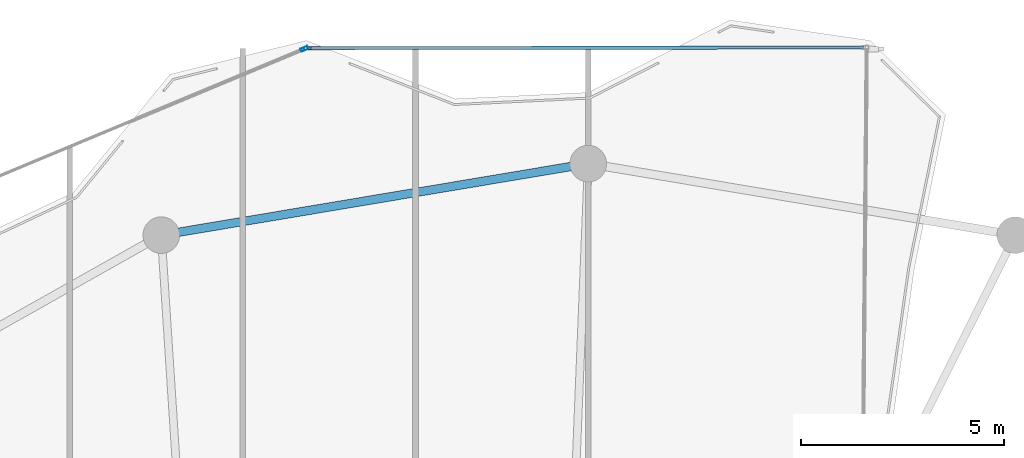
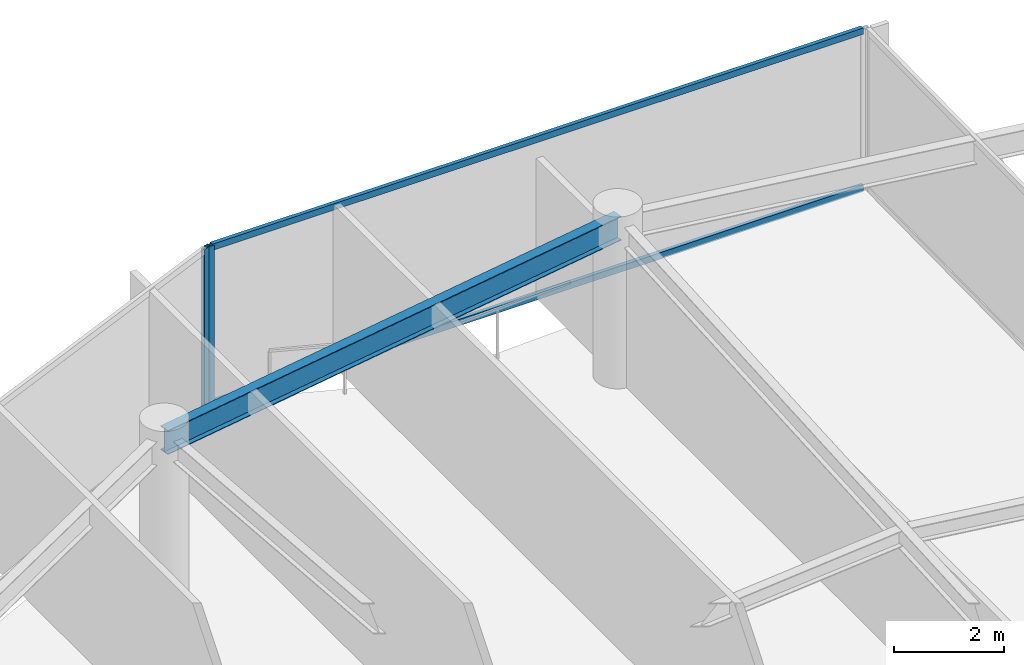
# One storey, part 16 of 23: 4 members, 1 beam, 2 elements without a shape of their own.
"""IFC4 building model written with IfcOpenShell, lengths in metres."""

from ifc_helpers import new_model, si_unit, direction, frame, origin, origin_2d, place, context, subcontext, project, spatial, hollow_rectangle, i_section, extrude, material, layer, layer_set, material_profile, profile_set, type_object, element, aggregate, save


model = new_model("IFC4")

# Units and contexts
model_context = context("Model", 3, precision=1e-05, world=origin(), true_north=direction((0.0, 1.0)))
body_context = subcontext(model_context, "Body", "Model", "MODEL_VIEW")
ifc_project = project(units=[si_unit("LENGTHUNIT", "METRE"), si_unit("AREAUNIT", "SQUARE_METRE"), si_unit("VOLUMEUNIT", "CUBIC_METRE"), si_unit("PLANEANGLEUNIT", "RADIAN"), si_unit("MASSUNIT", "GRAM", prefix="KILO")], contexts=[model_context])

# Site, building, storey
site_placement = place(None, origin())
site = spatial("IfcSite", under=ifc_project, at=site_placement, CompositionType="ELEMENT")
building_placement = place(site_placement, origin())
building = spatial("IfcBuilding", under=site, at=building_placement, Name="Kazevale Care Tower and Concert Hall", CompositionType="ELEMENT")
storey_placement = place(building_placement, frame((0.0, 0.0, 270.0)))
storey = spatial("IfcBuildingStorey", under=building, at=storey_placement, Name="L71", CompositionType="ELEMENT", Elevation=270.0)

# Curtain wall, member
ifc_material_1 = material(Name="Aluminium 6063-T6 and Low-E Glass", Category="aluminium")
ifc_layer = layer(ifc_material_1, 0.179931640625)
ifc_layer_set = layer_set([ifc_layer], Name="Aluminium 6063-T6 and Low-E Glass")
curtain_wall_type = type_object("IfcCurtainWallType", Name="Waist & Upper Residential Curtain Wall CW-4", PredefinedType="NOTDEFINED", material=ifc_layer_set)
curtain_wall_1_placement = place(storey_placement, origin())
curtain_wall_1 = element("IfcCurtainWall", 1, at=curtain_wall_1_placement, inside=storey, type_object=curtain_wall_type, Name="cw:L71:f11", PredefinedType="NOTDEFINED")
ifc_material_2 = material(Name="Aluminium 6063-T6", Category="aluminium")
ifc_material_profile_1 = material_profile(ifc_material_2, hollow_rectangle(XDim=0.080078125, YDim=0.179931640625, WallThickness=0.0048828125, at=origin_2d()), Name="ALU80x180x5")
ifc_profile_set_1 = profile_set([ifc_material_profile_1], Name="Aluminium 6063-T6")
member_type_1 = type_object("IfcMemberType", Name="CW-4 Mullion ALU80x180x5", PredefinedType="MULLION", material=ifc_profile_set_1)
member_1_placement = place(storey_placement, frame((38.01904296875, 63.97265625, 0.0), z_axis=(0.0, 0.0, 1.0), x_axis=(-0.384684013802, 0.923048324588, 0.0)))
member_1 = element("IfcMember", 2, at=member_1_placement, type_object=member_type_1, Name="CW-4 mullion 2", PredefinedType="MULLION", context=body_context, shape_type="SweptSolid", body=[
    extrude(hollow_rectangle(XDim=0.080078125, YDim=0.179931640625, WallThickness=0.0048828125, at=origin_2d()), origin(), (0.0, 0.0, 1.0), 3.56005859375),
])
aggregate(curtain_wall_1, [member_1])

# Curtain wall, members
curtain_wall_2_placement = place(storey_placement, origin())
curtain_wall_2 = element("IfcCurtainWall", 3, at=curtain_wall_2_placement, inside=storey, type_object=curtain_wall_type, Name="cw:L71:f12", PredefinedType="NOTDEFINED")
member_2_placement = place(storey_placement, frame((38.095947265625, 63.988037109375, 0.0), z_axis=(0.0, 0.0, 1.0), x_axis=(-0.001377708789, 0.999999050959, 0.0)))
member_2 = element("IfcMember", 4, at=member_2_placement, type_object=member_type_1, Name="CW-4 mullion 1", PredefinedType="MULLION", context=body_context, shape_type="SweptSolid", body=[
    extrude(hollow_rectangle(XDim=0.080078125, YDim=0.179931640625, WallThickness=0.0048828125, at=origin_2d()), origin(), (0.0, 0.0, 1.0), 3.56005859375),
])
ifc_material_profile_2 = material_profile(ifc_material_2, hollow_rectangle(XDim=0.080078125, YDim=0.139892578125, WallThickness=0.00390625, at=origin_2d()), Name="ALU80x140x4")
ifc_profile_set_2 = profile_set([ifc_material_profile_2], Name="Aluminium 6063-T6")
member_type_2 = type_object("IfcMemberType", Name="CW-4 Transom ALU80x140x4", PredefinedType="USERDEFINED", material=ifc_profile_set_2)
member_3_placement = place(storey_placement, frame((38.135986328125, 63.988037109375, 0.0400390625), z_axis=(0.999999049025, 0.0013791114, 0.0), x_axis=(-0.0013791114, 0.999999049025, 0.0)))
member_3 = element("IfcMember", 5, at=member_3_placement, type_object=member_type_2, Name="CW-4 transom 1.1", ObjectType="TRANSOM", PredefinedType="USERDEFINED", context=body_context, shape_type="SweptSolid", body=[
    extrude(hollow_rectangle(XDim=0.080078125, YDim=0.139892578125, WallThickness=0.00390625, at=origin_2d()), origin(), (0.0, 0.0, 1.0), 13.631103515625),
])
member_4_placement = place(storey_placement, frame((38.135986328125, 63.988037109375, 3.52001953125), z_axis=(0.999999049025, 0.0013791114, 0.0), x_axis=(-0.0013791114, 0.999999049025, 0.0)))
member_4 = element("IfcMember", 6, at=member_4_placement, type_object=member_type_2, Name="CW-4 transom 1.2", ObjectType="TRANSOM", PredefinedType="USERDEFINED", context=body_context, shape_type="SweptSolid", body=[
    extrude(hollow_rectangle(XDim=0.080078125, YDim=0.139892578125, WallThickness=0.00390625, at=origin_2d()), origin(), (0.0, 0.0, 1.0), 13.631103515625),
])
aggregate(curtain_wall_2, [member_2, member_3, member_4])

# Beam
ifc_material_3 = material(Name="Steel ASTM A572 Gr 50", Category="steel")
ifc_material_profile_3 = material_profile(ifc_material_3, i_section(OverallWidth=0.208984375, OverallDepth=0.532958984375, WebThickness=0.01025390625, FlangeThickness=0.015625, at=origin_2d()), Name="W530x92")
ifc_profile_set_3 = profile_set([ifc_material_profile_3], Name="Steel ASTM A572 Gr 50")
beam_type = type_object("IfcBeamType", Name="Upper Ring Beam W530x92", PredefinedType="BEAM", material=ifc_profile_set_3)
beam_placement = place(storey_placement, frame((45.0, 61.14990234375, 3.29345703125), z_axis=(-0.986241035683, -0.165313700387, 0.0), x_axis=(0.165313700387, -0.986241035683, 0.0)))
element("IfcBeam", 7, at=beam_placement, inside=storey, type_object=beam_type, Name="beam:L71:ring:05", PredefinedType="BEAM", context=body_context, shape_type="SweptSolid", body=[
    extrude(i_section(OverallWidth=0.208984375, OverallDepth=0.532958984375, WebThickness=0.01025390625, FlangeThickness=0.015625, at=origin_2d()), origin(), (0.0, 0.0, 1.0), 10.646484375),
])

save(model, "model.ifc")
